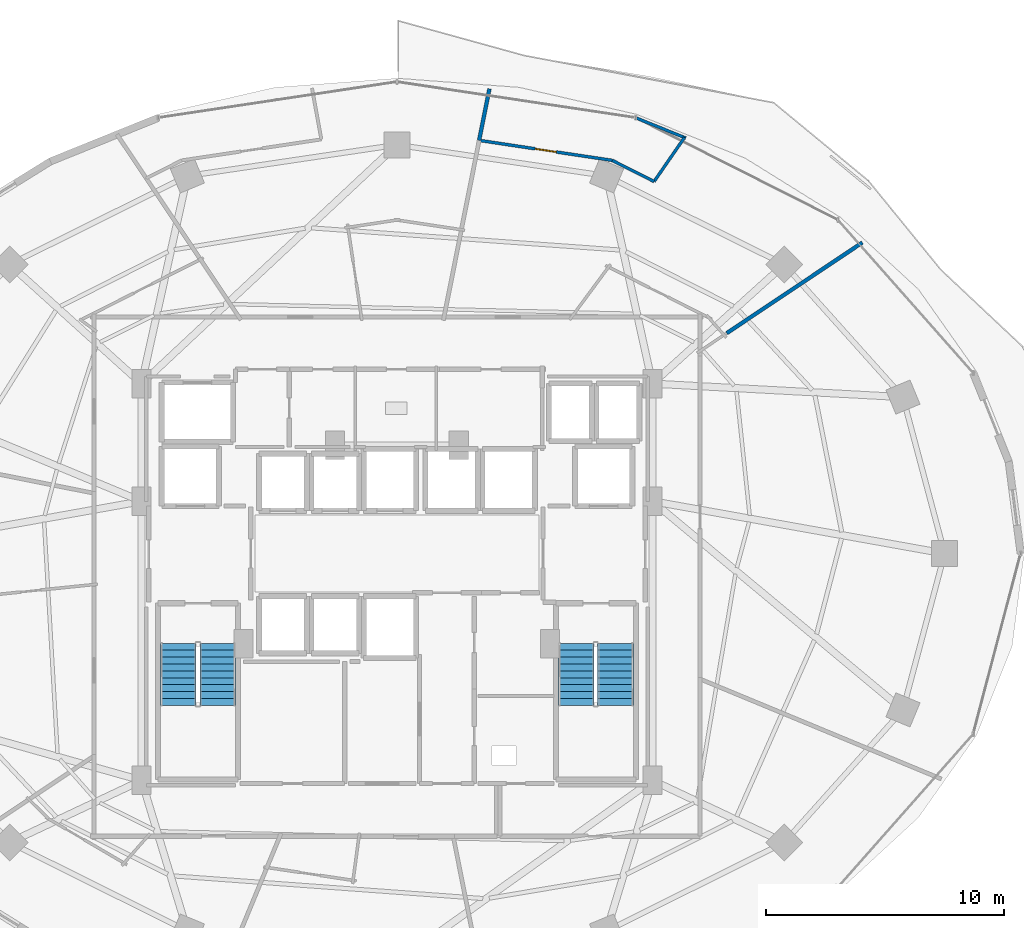
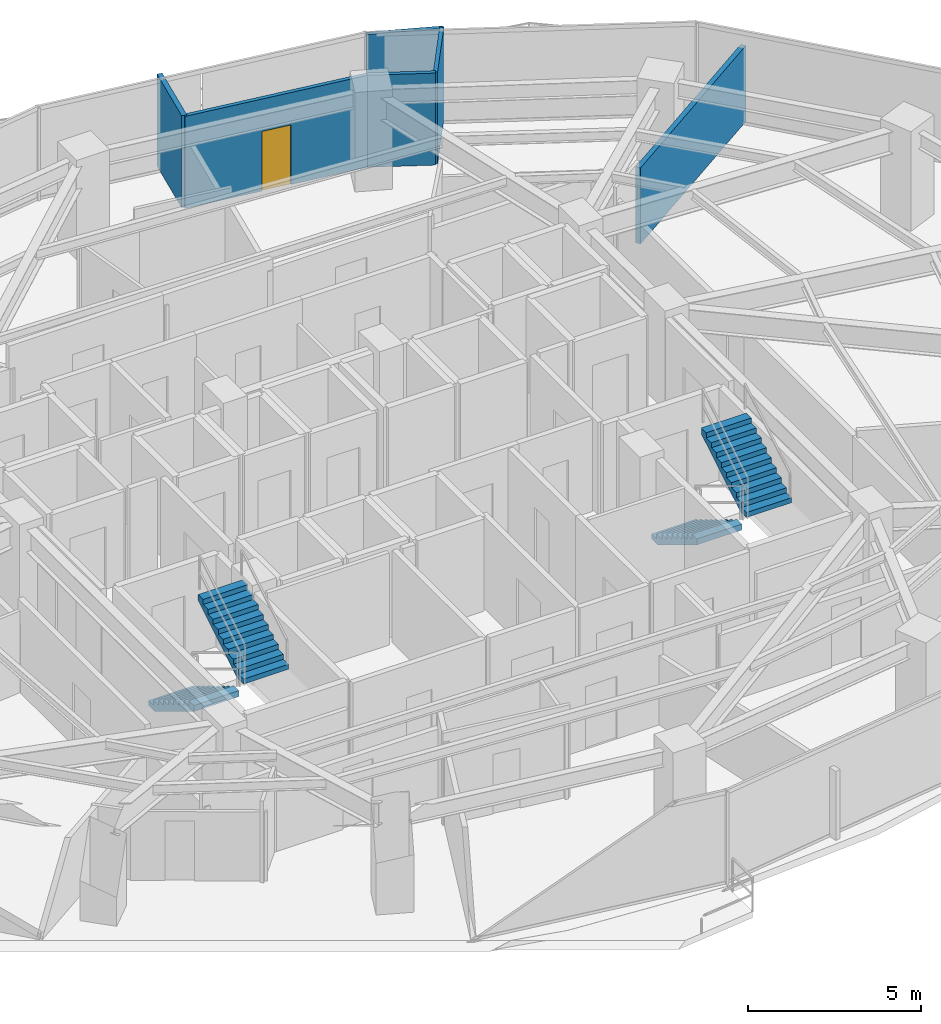
# One storey, part 26 of 29: 6 walls, 4 stair flights, 1 door, 1 opening, 2 elements without a shape of their own.
"""IFC4 building model written with IfcOpenShell, lengths in metres."""

from ifc_helpers import new_model, si_unit, direction, frame, frame_2d, origin, place, context, subcontext, project, spatial, polyline, rectangle, outline, extrude, material, layer, layer_set, type_object, element, fill, aggregate, save


model = new_model("IFC4")

# Units and contexts
model_context = context("Model", 3, precision=1e-05, world=origin(), true_north=direction((0.0, 1.0)))
body_context = subcontext(model_context, "Body", "Model", "MODEL_VIEW")
ifc_project = project(units=[si_unit("LENGTHUNIT", "METRE"), si_unit("AREAUNIT", "SQUARE_METRE"), si_unit("VOLUMEUNIT", "CUBIC_METRE"), si_unit("PLANEANGLEUNIT", "RADIAN"), si_unit("MASSUNIT", "GRAM", prefix="KILO")], contexts=[model_context])

# Site, building, storey
site_placement = place(None, origin())
site = spatial("IfcSite", under=ifc_project, at=site_placement, CompositionType="ELEMENT")
building_placement = place(site_placement, origin())
building = spatial("IfcBuilding", under=site, at=building_placement, Name="Vorneva Point Tower", CompositionType="ELEMENT")
storey_placement = place(building_placement, frame((0.0, 0.0, 82.300048828125)))
storey = spatial("IfcBuildingStorey", under=building, at=storey_placement, Name="L21", CompositionType="ELEMENT", Elevation=82.300048828125)

# Walls
ifc_material_1 = material(Name="Fire-rated acoustic gypsum stud partition", Category="gypsum")
ifc_layer_1 = layer(ifc_material_1, 0.125)
ifc_layer_set_1 = layer_set([ifc_layer_1], Name="Fire-rated acoustic gypsum stud partition")
wall_type_1 = type_object("IfcWallType", Name="WL-PART-125", PredefinedType="PARTITIONING", material=ifc_layer_set_1)
wall_1_placement = place(storey_placement, frame((50.10009765625, 43.507080078125, 0.0), z_axis=(0.0, 0.0, 1.0), x_axis=(-0.568470595976, -0.822703580587, 0.0)))
element("IfcWall", 1, at=wall_1_placement, inside=storey, type_object=wall_type_1, Name="L21 Interior Partition 051", PredefinedType="PARTITIONING", context=body_context, shape_type="SweptSolid", body=[
    extrude(rectangle(XDim=2.25, YDim=0.125, at=frame_2d((1.125, 0.0))), origin(), (0.0, 0.0, 1.0), 3.239990234375),
])
wall_2_placement = place(storey_placement, frame((48.821044921875, 41.656005859375, 0.0), z_axis=(0.0, 0.0, 1.0), x_axis=(-0.892511395612, 0.451024842668, 0.0)))
element("IfcWall", 2, at=wall_2_placement, inside=storey, type_object=wall_type_1, Name="L21 Interior Partition 052", PredefinedType="PARTITIONING", context=body_context, shape_type="SweptSolid", body=[
    extrude(rectangle(XDim=1.970947265625, YDim=0.125, at=frame_2d((0.9853515625, 0.0))), origin(), (0.0, 0.0, 1.0), 3.239990234375),
])

# Wall, opening, door
wall_3_placement = place(storey_placement, frame((47.06201171875, 42.544921875, 0.0), z_axis=(0.0, 0.0, 1.0), x_axis=(-0.988869883596, 0.148782906669, 0.0)))
wall_3 = element("IfcWall", 3, at=wall_3_placement, inside=storey, type_object=wall_type_1, Name="L21 Interior Partition 053", PredefinedType="PARTITIONING", context=body_context, shape_type="SweptSolid", body=[
    extrude(rectangle(XDim=5.666015625, YDim=0.125, at=frame_2d((2.8330078125, 0.0))), origin(), (0.0, 0.0, 1.0), 3.239990234375),
])
opening_placement = place(wall_3_placement, frame((2.383056640625, 0.0, 0.0)))
opening = element("IfcOpeningElement", 4, at=opening_placement, cuts=wall_3, Name="Opening ID-01", PredefinedType="OPENING", context=body_context, shape_type="SweptSolid", body=[
    extrude(rectangle(XDim=0.89990234375, YDim=2.10009765625, at=frame_2d((0.449951171875, 1.050048828125))), frame((0.0, 0.077392578125, 0.0), z_axis=(0.0, -1.0, 0.0), x_axis=(1.0, 0.0, 0.0)), (0.0, 0.0, 1.0), 0.15478515625),
])
ifc_material_2 = material(Name="Engineered oak fire-rated door leaf", Category="wood")
door_type = type_object("IfcDoorType", Name="DR-ROOM-900", OperationType="NOTDEFINED", PredefinedType="DOOR", material=ifc_material_2)
door_placement = place(opening_placement, origin())
door = element("IfcDoor", 5, at=door_placement, inside=storey, type_object=door_type, Name="L21 Door Corner Suite L21-01 / Suite Sitting Study L21-01", OperationType="SINGLE_SWING_RIGHT", OverallHeight=2.10009765625, OverallWidth=0.89990234375, PredefinedType="DOOR", context=body_context, shape_type="SweptSolid", body=[
    extrude(rectangle(XDim=0.89990234375, YDim=2.10009765625, at=frame_2d((0.449951171875, 1.050048828125))), frame((0.0, 0.02490234375, 0.0), z_axis=(0.0, -1.0, 0.0), x_axis=(1.0, 0.0, 0.0)), (0.0, 0.0, 1.0), 0.050048828125),
])
fill(opening, door)

# Walls
wall_4_placement = place(storey_placement, frame((50.156005859375, 43.485107421875, 0.0), z_axis=(0.0, 0.0, 1.0), x_axis=(-0.926988791776, 0.375089029327, 0.0)))
element("IfcWall", 6, at=wall_4_placement, inside=storey, type_object=wall_type_1, Name="L21 Interior Partition 054", PredefinedType="PARTITIONING", context=body_context, shape_type="SweptSolid", body=[
    extrude(rectangle(XDim=2.26318359375, YDim=0.125, at=frame_2d((1.131591796875, 0.0))), origin(), (0.0, 0.0, 1.0), 3.239990234375),
])
ifc_layer_2 = layer(ifc_material_1, 0.159912109375)
ifc_layer_set_2 = layer_set([ifc_layer_2], Name="Fire-rated acoustic gypsum stud partition")
wall_type_2 = type_object("IfcWallType", Name="WL-PART-160", PredefinedType="PARTITIONING", material=ifc_layer_set_2)
wall_5_placement = place(storey_placement, frame((51.882568359375, 35.275634765625, 0.0), z_axis=(0.0, 0.0, 1.0), x_axis=(0.831464132421, 0.555578434154, 0.0)))
element("IfcWall", 7, at=wall_5_placement, inside=storey, type_object=wall_type_2, Name="L21 Interior Partition 057", PredefinedType="PARTITIONING", context=body_context, shape_type="SweptSolid", body=[
    extrude(rectangle(XDim=6.86181640625, YDim=0.159912109375, at=frame_2d((3.430908203125, 0.0))), origin(), (0.0, 0.0, 1.0), 2.677001953125),
])
wall_6_placement = place(storey_placement, frame((41.89111328125, 45.55908203125, 0.0), z_axis=(0.0, 0.0, 1.0), x_axis=(-0.195204079936, -0.980762645688, 0.0)))
element("IfcWall", 8, at=wall_6_placement, inside=storey, type_object=wall_type_2, Name="L21 Interior Partition 058", PredefinedType="PARTITIONING", context=body_context, shape_type="SweptSolid", body=[
    extrude(rectangle(XDim=2.213623046875, YDim=0.159912109375, at=frame_2d((1.10693359375, 0.0))), origin(), (0.0, 0.0, 1.0), 3.239990234375),
])

# Stair, stair flights
ifc_material_3 = material(Name="Concrete B50 (C40/50)", Category="concrete")
stair_type = type_object("IfcStairType", Name="ST-DOG-1500", PredefinedType="HALF_TURN_STAIR", material=ifc_material_3)
stair_1_placement = place(storey_placement, origin())
stair_1 = element("IfcStair", 9, at=stair_1_placement, inside=storey, type_object=stair_type, Name="L21 ST1", PredefinedType="HALF_TURN_STAIR")
stair_flight_type = type_object("IfcStairFlightType", Name="STF-1500", PredefinedType="STRAIGHT", material=ifc_material_3)
stair_flight_1_placement = place(storey_placement, frame((28.800048828125, 22.219970703125, 0.0), z_axis=(0.0, 0.0, 1.0), x_axis=(0.0, -1.0, 0.0)))
stair_flight_1 = element("IfcStairFlight", 10, at=stair_flight_1_placement, type_object=stair_flight_type, Name="ST1 flight 1", NumberOfRisers=10, NumberOfTreads=9, PredefinedType="STRAIGHT", RiserHeight=0.175, TreadLength=0.29, context=body_context, shape_type="SweptSolid", body=[
    extrude(outline(polyline([(0.0, 0.0), (0.0, 0.175048828125), (0.2900390625, 0.175048828125), (0.2900390625, 0.35009765625), (0.580078125, 0.35009765625), (0.580078125, 0.52490234375), (0.8701171875, 0.52490234375), (0.8701171875, 0.699951171875), (1.159912109375, 0.699951171875), (1.159912109375, 0.875), (1.449951171875, 0.875), (1.449951171875, 1.050048828125), (1.739990234375, 1.050048828125), (1.739990234375, 1.22509765625), (2.030029296875, 1.22509765625), (2.030029296875, 1.39990234375), (2.320068359375, 1.39990234375), (2.320068359375, 1.574951171875), (2.610107421875, 1.574951171875), (2.610107421875, 1.75), (2.610107421875, 1.36474609375), (0.34814453125, 0.0), (0.0, 0.0)])), frame((0.0, 0.75, 0.0), z_axis=(0.0, -1.0, 0.0), x_axis=(1.0, 0.0, 0.0)), (0.0, 0.0, 1.0), 1.5),
])
stair_flight_2_placement = place(storey_placement, frame((30.449951171875, 19.610107421875, 1.75), z_axis=(0.0, 0.0, 1.0), x_axis=(0.0, 1.0, 0.0)))
stair_flight_2 = element("IfcStairFlight", 11, at=stair_flight_2_placement, type_object=stair_flight_type, Name="ST1 flight 2", NumberOfRisers=10, NumberOfTreads=9, PredefinedType="STRAIGHT", RiserHeight=0.175, TreadLength=0.29, context=body_context, shape_type="SweptSolid", body=[
    extrude(outline(polyline([(0.0, 0.0), (0.0, 0.175048828125), (0.2900390625, 0.175048828125), (0.2900390625, 0.35009765625), (0.580078125, 0.35009765625), (0.580078125, 0.52490234375), (0.8701171875, 0.52490234375), (0.8701171875, 0.699951171875), (1.159912109375, 0.699951171875), (1.159912109375, 0.875), (1.449951171875, 0.875), (1.449951171875, 1.050048828125), (1.739990234375, 1.050048828125), (1.739990234375, 1.22509765625), (2.030029296875, 1.22509765625), (2.030029296875, 1.39990234375), (2.320068359375, 1.39990234375), (2.320068359375, 1.574951171875), (2.610107421875, 1.574951171875), (2.610107421875, 1.75), (2.610107421875, 1.36474609375), (0.34814453125, 0.0), (0.0, 0.0)])), frame((0.0, 0.75, 0.0), z_axis=(0.0, -1.0, 0.0), x_axis=(1.0, 0.0, 0.0)), (0.0, 0.0, 1.0), 1.5),
])
aggregate(stair_1, [stair_flight_1, stair_flight_2])

stair_2_placement = place(storey_placement, origin())
stair_2 = element("IfcStair", 12, at=stair_2_placement, inside=storey, type_object=stair_type, Name="L21 ST2", PredefinedType="HALF_TURN_STAIR")
stair_flight_3_placement = place(storey_placement, frame((45.550048828125, 22.219970703125, 0.0), z_axis=(0.0, 0.0, 1.0), x_axis=(0.0, -1.0, 0.0)))
stair_flight_3 = element("IfcStairFlight", 13, at=stair_flight_3_placement, type_object=stair_flight_type, Name="ST2 flight 1", NumberOfRisers=10, NumberOfTreads=9, PredefinedType="STRAIGHT", RiserHeight=0.175, TreadLength=0.29, context=body_context, shape_type="SweptSolid", body=[
    extrude(outline(polyline([(0.0, 0.0), (0.0, 0.175048828125), (0.2900390625, 0.175048828125), (0.2900390625, 0.35009765625), (0.580078125, 0.35009765625), (0.580078125, 0.52490234375), (0.8701171875, 0.52490234375), (0.8701171875, 0.699951171875), (1.159912109375, 0.699951171875), (1.159912109375, 0.875), (1.449951171875, 0.875), (1.449951171875, 1.050048828125), (1.739990234375, 1.050048828125), (1.739990234375, 1.22509765625), (2.030029296875, 1.22509765625), (2.030029296875, 1.39990234375), (2.320068359375, 1.39990234375), (2.320068359375, 1.574951171875), (2.610107421875, 1.574951171875), (2.610107421875, 1.75), (2.610107421875, 1.36474609375), (0.34814453125, 0.0), (0.0, 0.0)])), frame((0.0, 0.75, 0.0), z_axis=(0.0, -1.0, 0.0), x_axis=(1.0, 0.0, 0.0)), (0.0, 0.0, 1.0), 1.5),
])
stair_flight_4_placement = place(storey_placement, frame((47.199951171875, 19.610107421875, 1.75), z_axis=(0.0, 0.0, 1.0), x_axis=(0.0, 1.0, 0.0)))
stair_flight_4 = element("IfcStairFlight", 14, at=stair_flight_4_placement, type_object=stair_flight_type, Name="ST2 flight 2", NumberOfRisers=10, NumberOfTreads=9, PredefinedType="STRAIGHT", RiserHeight=0.175, TreadLength=0.29, context=body_context, shape_type="SweptSolid", body=[
    extrude(outline(polyline([(0.0, 0.0), (0.0, 0.175048828125), (0.2900390625, 0.175048828125), (0.2900390625, 0.35009765625), (0.580078125, 0.35009765625), (0.580078125, 0.52490234375), (0.8701171875, 0.52490234375), (0.8701171875, 0.699951171875), (1.159912109375, 0.699951171875), (1.159912109375, 0.875), (1.449951171875, 0.875), (1.449951171875, 1.050048828125), (1.739990234375, 1.050048828125), (1.739990234375, 1.22509765625), (2.030029296875, 1.22509765625), (2.030029296875, 1.39990234375), (2.320068359375, 1.39990234375), (2.320068359375, 1.574951171875), (2.610107421875, 1.574951171875), (2.610107421875, 1.75), (2.610107421875, 1.36474609375), (0.34814453125, 0.0), (0.0, 0.0)])), frame((0.0, 0.75, 0.0), z_axis=(0.0, -1.0, 0.0), x_axis=(1.0, 0.0, 0.0)), (0.0, 0.0, 1.0), 1.5),
])
aggregate(stair_2, [stair_flight_3, stair_flight_4])

save(model, "model.ifc")
